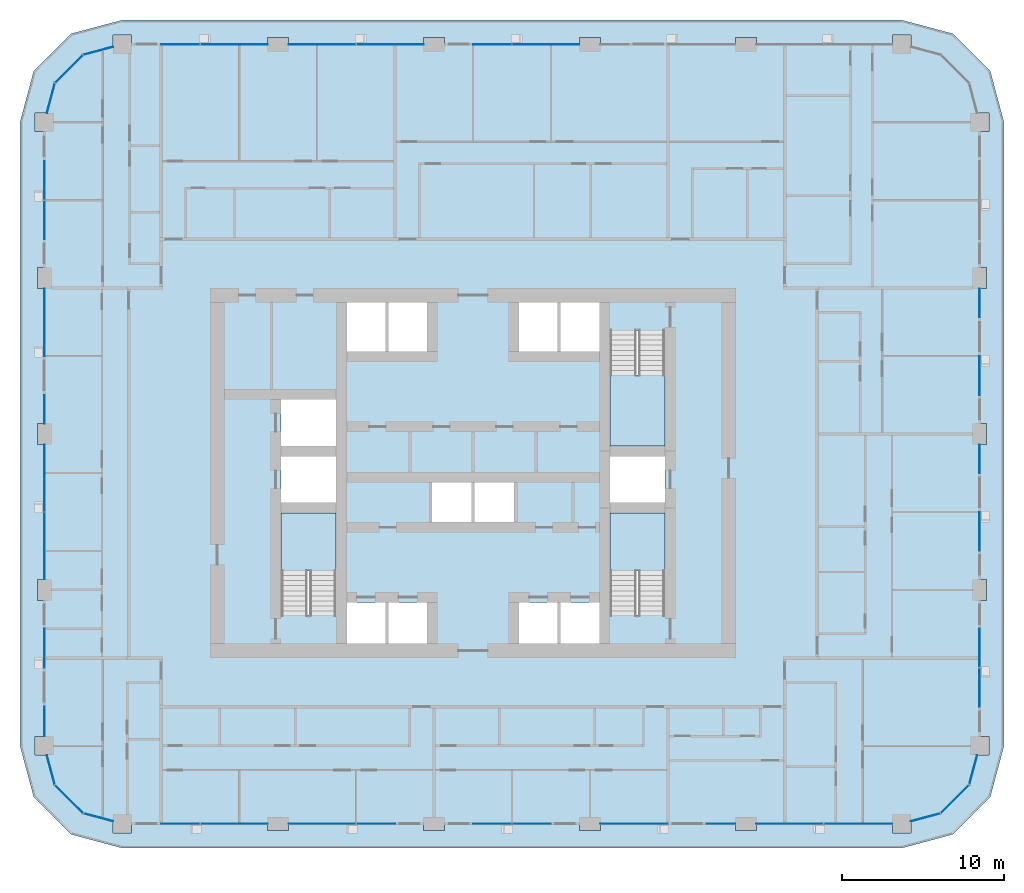
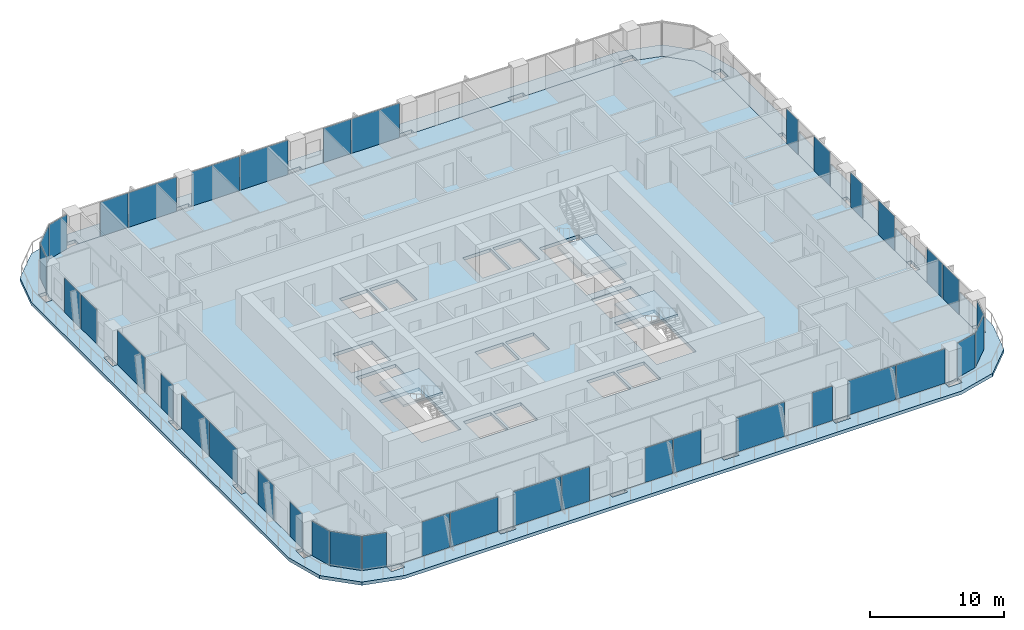
# One storey, part 7 of 21: 39 plates, 5 slabs, 21 elements without a shape of their own.
"""IFC4 building model written with IfcOpenShell, lengths in metres."""

from ifc_helpers import new_model, si_unit, direction, frame, origin, origin_2d, place, context, subcontext, project, spatial, polyline, rectangle, outline, extrude, material, layer, layer_set, type_object, element, aggregate, save


model = new_model("IFC4")

# Units and contexts
model_context = context("Model", 3, precision=1e-05, world=origin(), true_north=direction((0.0, 1.0)))
body_context = subcontext(model_context, "Body", "Model", "MODEL_VIEW")
ifc_project = project(units=[si_unit("LENGTHUNIT", "METRE"), si_unit("AREAUNIT", "SQUARE_METRE"), si_unit("VOLUMEUNIT", "CUBIC_METRE"), si_unit("PLANEANGLEUNIT", "RADIAN"), si_unit("MASSUNIT", "GRAM", prefix="KILO")], contexts=[model_context])

# Site, building, storey
site_placement = place(None, origin())
site = spatial("IfcSite", under=ifc_project, at=site_placement, CompositionType="ELEMENT")
building_placement = place(site_placement, origin())
building = spatial("IfcBuilding", under=site, at=building_placement, Name="Madar Terraces", CompositionType="ELEMENT")
storey_placement = place(building_placement, frame((0.0, 0.0, 92.699951171875)))
storey = spatial("IfcBuildingStorey", under=building, at=storey_placement, Name="L23", CompositionType="ELEMENT", Elevation=92.699951171875)

# Slabs
ifc_material_1 = material(Name="Concrete C50/60", Category="concrete")
ifc_layer_1 = layer(ifc_material_1, 0.300048828125)
ifc_layer_set_1 = layer_set([ifc_layer_1], Name="Balcony band 300")
slab_type_1 = type_object("IfcSlabType", Name="Balcony band 300", PredefinedType="FLOOR", material=ifc_layer_set_1)
slab_1_placement = place(storey_placement, frame((0.0, 0.0, -0.300048828125)))
element("IfcSlab", 1, at=slab_1_placement, inside=storey, type_object=slab_type_1, Name="Balcony band", PredefinedType="FLOOR", context=body_context, shape_type="SweptSolid", body=[
    extrude(outline(polyline([(9.60009765625, 3.300048828125), (6.449951171875, 4.14404296875), (4.14404296875, 6.449951171875), (3.300048828125, 9.60009765625), (3.300048828125, 48.0), (4.14404296875, 51.14990234375), (6.449951171875, 53.4560546875), (9.60009765625, 54.300048828125), (57.60009765625, 54.300048828125), (60.75, 53.4560546875), (63.055908203125, 51.14990234375), (63.89990234375, 48.0), (63.89990234375, 9.60009765625), (63.055908203125, 6.449951171875), (60.75, 4.14404296875), (57.60009765625, 3.300048828125), (9.60009765625, 3.300048828125)]), holes=[polyline([(10.175048828125, 4.22509765625), (10.175048828125, 4.800048828125), (18.550048828125, 4.800048828125), (18.550048828125, 4.375), (19.85009765625, 4.375), (19.85009765625, 4.800048828125), (28.14990234375, 4.800048828125), (28.14990234375, 4.375), (29.449951171875, 4.375), (29.449951171875, 4.800048828125), (37.75, 4.800048828125), (37.75, 4.375), (39.050048828125, 4.375), (39.050048828125, 4.800048828125), (47.35009765625, 4.800048828125), (47.35009765625, 4.375), (48.64990234375, 4.375), (48.64990234375, 4.800048828125), (57.02490234375, 4.800048828125), (57.02490234375, 4.22509765625), (58.175048828125, 4.22509765625), (58.175048828125, 4.9541015625), (60.0, 5.443115234375), (61.7568359375, 7.199951171875), (62.245849609375, 9.02490234375), (62.97509765625, 9.02490234375), (62.97509765625, 10.175048828125), (62.39990234375, 10.175048828125), (62.39990234375, 18.550048828125), (62.824951171875, 18.550048828125), (62.824951171875, 19.85009765625), (62.39990234375, 19.85009765625), (62.39990234375, 28.14990234375), (62.824951171875, 28.14990234375), (62.824951171875, 29.449951171875), (62.39990234375, 29.449951171875), (62.39990234375, 37.75), (62.824951171875, 37.75), (62.824951171875, 39.050048828125), (62.39990234375, 39.050048828125), (62.39990234375, 47.425048828125), (62.97509765625, 47.425048828125), (62.97509765625, 48.574951171875), (62.245849609375, 48.574951171875), (61.7568359375, 50.39990234375), (60.0, 52.156982421875), (58.175048828125, 52.64599609375), (58.175048828125, 53.375), (57.02490234375, 53.375), (57.02490234375, 52.800048828125), (48.64990234375, 52.800048828125), (48.64990234375, 53.22509765625), (47.35009765625, 53.22509765625), (47.35009765625, 52.800048828125), (39.050048828125, 52.800048828125), (39.050048828125, 53.22509765625), (37.75, 53.22509765625), (37.75, 52.800048828125), (29.449951171875, 52.800048828125), (29.449951171875, 53.22509765625), (28.14990234375, 53.22509765625), (28.14990234375, 52.800048828125), (19.85009765625, 52.800048828125), (19.85009765625, 53.22509765625), (18.550048828125, 53.22509765625), (18.550048828125, 52.800048828125), (10.175048828125, 52.800048828125), (10.175048828125, 53.375), (9.02490234375, 53.375), (9.02490234375, 52.64599609375), (7.199951171875, 52.156982421875), (5.443115234375, 50.39990234375), (4.9541015625, 48.574951171875), (4.22509765625, 48.574951171875), (4.22509765625, 47.425048828125), (4.800048828125, 47.425048828125), (4.800048828125, 39.050048828125), (4.375, 39.050048828125), (4.375, 37.75), (4.800048828125, 37.75), (4.800048828125, 29.449951171875), (4.375, 29.449951171875), (4.375, 28.14990234375), (4.800048828125, 28.14990234375), (4.800048828125, 19.85009765625), (4.375, 19.85009765625), (4.375, 18.550048828125), (4.800048828125, 18.550048828125), (4.800048828125, 10.175048828125), (4.22509765625, 10.175048828125), (4.22509765625, 9.02490234375), (4.9541015625, 9.02490234375), (5.443115234375, 7.199951171875), (7.199951171875, 5.443115234375), (9.02490234375, 4.9541015625), (9.02490234375, 4.22509765625), (10.175048828125, 4.22509765625)])]), origin(), (0.0, 0.0, 1.0), 0.300048828125),
])
ifc_material_2 = material(Name="Concrete C50/60", Category="concrete")
ifc_layer_2 = layer(ifc_material_2, 0.300048828125)
ifc_layer_set_2 = layer_set([ifc_layer_2], Name="FS2 PT flat slab 300")
slab_type_2 = type_object("IfcSlabType", Name="FS2 PT flat slab 300", PredefinedType="FLOOR", material=ifc_layer_set_2)
slab_2_placement = place(storey_placement, frame((0.0, 0.0, -0.300048828125)))
element("IfcSlab", 2, at=slab_2_placement, inside=storey, type_object=slab_type_2, Name="Floor slab L23 (1)", PredefinedType="FLOOR", context=body_context, shape_type="SweptSolid", body=[
    extrude(outline(polyline([(57.60009765625, 4.800048828125), (60.0, 5.443115234375), (61.7568359375, 7.199951171875), (62.39990234375, 9.60009765625), (62.39990234375, 48.0), (61.7568359375, 50.39990234375), (60.0, 52.156982421875), (57.60009765625, 52.800048828125), (9.60009765625, 52.800048828125), (7.199951171875, 52.156982421875), (5.443115234375, 50.39990234375), (4.800048828125, 48.0), (4.800048828125, 9.60009765625), (5.443115234375, 7.199951171875), (7.199951171875, 5.443115234375), (9.60009765625, 4.800048828125), (57.60009765625, 4.800048828125)]), holes=[polyline([(23.425048828125, 15.89990234375), (23.425048828125, 18.425048828125), (25.800048828125, 18.425048828125), (25.800048828125, 15.89990234375), (23.425048828125, 15.89990234375)]), polyline([(26.0, 15.89990234375), (26.0, 18.425048828125), (28.375, 18.425048828125), (28.375, 15.89990234375), (26.0, 15.89990234375)]), polyline([(19.375, 17.64990234375), (19.375, 23.925048828125), (22.77490234375, 23.925048828125), (22.77490234375, 17.64990234375), (19.375, 17.64990234375)]), polyline([(28.675048828125, 23.375), (28.675048828125, 25.824951171875), (31.10009765625, 25.824951171875), (31.10009765625, 23.375), (28.675048828125, 23.375)]), polyline([(19.375, 24.574951171875), (19.375, 27.425048828125), (22.77490234375, 27.425048828125), (22.77490234375, 24.574951171875), (19.375, 24.574951171875)]), polyline([(19.375, 28.074951171875), (19.375, 30.925048828125), (22.77490234375, 30.925048828125), (22.77490234375, 28.074951171875), (19.375, 28.074951171875)]), polyline([(23.425048828125, 33.875), (23.425048828125, 36.89990234375), (25.800048828125, 36.89990234375), (25.800048828125, 33.875), (23.425048828125, 33.875)]), polyline([(26.0, 33.875), (26.0, 36.89990234375), (28.375, 36.89990234375), (28.375, 33.875), (26.0, 33.875)]), polyline([(34.02490234375, 15.89990234375), (34.02490234375, 18.425048828125), (36.39990234375, 18.425048828125), (36.39990234375, 15.89990234375), (34.02490234375, 15.89990234375)]), polyline([(36.60009765625, 15.89990234375), (36.60009765625, 18.425048828125), (38.97509765625, 18.425048828125), (38.97509765625, 15.89990234375), (36.60009765625, 15.89990234375)]), polyline([(39.625, 17.64990234375), (39.625, 23.925048828125), (43.02490234375, 23.925048828125), (43.02490234375, 17.64990234375), (39.625, 17.64990234375)]), polyline([(31.300048828125, 23.375), (31.300048828125, 25.824951171875), (33.72509765625, 25.824951171875), (33.72509765625, 23.375), (31.300048828125, 23.375)]), polyline([(39.625, 24.574951171875), (39.625, 27.425048828125), (43.02490234375, 27.425048828125), (43.02490234375, 24.574951171875), (39.625, 24.574951171875)]), polyline([(39.625, 28.074951171875), (39.625, 35.14990234375), (43.02490234375, 35.14990234375), (43.02490234375, 28.074951171875), (39.625, 28.074951171875)]), polyline([(34.02490234375, 33.875), (34.02490234375, 36.89990234375), (36.39990234375, 36.89990234375), (36.39990234375, 33.875), (34.02490234375, 33.875)]), polyline([(36.60009765625, 33.875), (36.60009765625, 36.89990234375), (38.97509765625, 36.89990234375), (38.97509765625, 33.875), (36.60009765625, 33.875)])]), origin(), (0.0, 0.0, 1.0), 0.300048828125),
])

# Curtain wall, plates
ifc_material_3 = material(Name="Glass, ceramic frit dark grey, with black aluminium frame", Category="aluminium")
ifc_layer_3 = layer(ifc_material_3, 0.199951171875)
ifc_layer_set_3 = layer_set([ifc_layer_3], Name="Facade curtain wall, fritted glass")
curtain_wall_type = type_object("IfcCurtainWallType", Name="Facade curtain wall, fritted glass", PredefinedType="NOTDEFINED", material=ifc_layer_set_3)
curtain_wall_1_placement = place(storey_placement, origin())
curtain_wall_1 = element("IfcCurtainWall", 3, at=curtain_wall_1_placement, inside=storey, type_object=curtain_wall_type, Name="Outer skin curtain wall south bay 1", PredefinedType="NOTDEFINED")
ifc_material_4 = material(Name="Glass, ceramic frit dark grey", Category="glass")
ifc_layer_4 = layer(ifc_material_4, 0.028076171875)
ifc_layer_set_4 = layer_set([ifc_layer_4], Name="Facade glass panel 28")
plate_type = type_object("IfcPlateType", Name="Facade glass panel 28", PredefinedType="CURTAIN_PANEL", material=ifc_layer_set_4)
plate_1_placement = place(storey_placement, frame((13.18505859375, 4.800048828125, 0.0), z_axis=(0.0, 0.0, 1.0), x_axis=(1.0, 0.0, 0.0)))
plate_1 = element("IfcPlate", 4, at=plate_1_placement, type_object=plate_type, Name="Panel 1", PredefinedType="CURTAIN_PANEL", context=body_context, shape_type="SweptSolid", body=[
    extrude(rectangle(XDim=2.3701171875, YDim=0.028076171875, at=origin_2d()), origin(), (0.0, 0.0, 1.0), 3.139892578125),
])
plate_2_placement = place(storey_placement, frame((16.489990234375, 4.800048828125, 0.0), z_axis=(0.0, 0.0, 1.0), x_axis=(1.0, 0.0, 0.0)))
plate_2 = element("IfcPlate", 5, at=plate_2_placement, type_object=plate_type, Name="Panel 2", PredefinedType="CURTAIN_PANEL", context=body_context, shape_type="SweptSolid", body=[
    extrude(rectangle(XDim=4.1201171875, YDim=0.028076171875, at=origin_2d()), origin(), (0.0, 0.0, 1.0), 3.139892578125),
])
aggregate(curtain_wall_1, [plate_1, plate_2])

curtain_wall_2_placement = place(storey_placement, origin())
curtain_wall_2 = element("IfcCurtainWall", 6, at=curtain_wall_2_placement, inside=storey, type_object=curtain_wall_type, Name="Outer skin curtain wall south bay 2", PredefinedType="NOTDEFINED")
plate_3_placement = place(storey_placement, frame((21.909912109375, 4.800048828125, 0.0), z_axis=(0.0, 0.0, 1.0), x_axis=(1.0, 0.0, 0.0)))
plate_3 = element("IfcPlate", 7, at=plate_3_placement, type_object=plate_type, Name="Panel 1", PredefinedType="CURTAIN_PANEL", context=body_context, shape_type="SweptSolid", body=[
    extrude(rectangle(XDim=4.1201171875, YDim=0.028076171875, at=origin_2d()), origin(), (0.0, 0.0, 1.0), 3.139892578125),
])
plate_4_placement = place(storey_placement, frame((25.215087890625, 4.800048828125, 0.0), z_axis=(0.0, 0.0, 1.0), x_axis=(1.0, 0.0, 0.0)))
plate_4 = element("IfcPlate", 8, at=plate_4_placement, type_object=plate_type, Name="Panel 2", PredefinedType="CURTAIN_PANEL", context=body_context, shape_type="SweptSolid", body=[
    extrude(rectangle(XDim=2.3701171875, YDim=0.028076171875, at=origin_2d()), origin(), (0.0, 0.0, 1.0), 3.139892578125),
])
aggregate(curtain_wall_2, [plate_3, plate_4])

curtain_wall_3_placement = place(storey_placement, origin())
curtain_wall_3 = element("IfcCurtainWall", 9, at=curtain_wall_3_placement, inside=storey, type_object=curtain_wall_type, Name="Outer skin curtain wall south bay 3", PredefinedType="NOTDEFINED")
plate_5_placement = place(storey_placement, frame((32.385009765625, 4.800048828125, 0.0), z_axis=(0.0, 0.0, 1.0), x_axis=(1.0, 0.0, 0.0)))
plate_5 = element("IfcPlate", 10, at=plate_5_placement, type_object=plate_type, Name="Panel 1", PredefinedType="CURTAIN_PANEL", context=body_context, shape_type="SweptSolid", body=[
    extrude(rectangle(XDim=2.3701171875, YDim=0.028076171875, at=origin_2d()), origin(), (0.0, 0.0, 1.0), 3.139892578125),
])
plate_6_placement = place(storey_placement, frame((34.81494140625, 4.800048828125, 0.0), z_axis=(0.0, 0.0, 1.0), x_axis=(1.0, 0.0, 0.0)))
plate_6 = element("IfcPlate", 11, at=plate_6_placement, type_object=plate_type, Name="Panel 2", PredefinedType="CURTAIN_PANEL", context=body_context, shape_type="SweptSolid", body=[
    extrude(rectangle(XDim=2.3701171875, YDim=0.028076171875, at=origin_2d()), origin(), (0.0, 0.0, 1.0), 3.139892578125),
])
aggregate(curtain_wall_3, [plate_5, plate_6])

curtain_wall_4_placement = place(storey_placement, origin())
curtain_wall_4 = element("IfcCurtainWall", 12, at=curtain_wall_4_placement, inside=storey, type_object=curtain_wall_type, Name="Outer skin curtain wall south bay 4", PredefinedType="NOTDEFINED")
plate_7_placement = place(storey_placement, frame((41.125, 4.800048828125, 0.0), z_axis=(0.0, 0.0, 1.0), x_axis=(1.0, 0.0, 0.0)))
plate_7 = element("IfcPlate", 13, at=plate_7_placement, type_object=plate_type, Name="Panel 1", PredefinedType="CURTAIN_PANEL", context=body_context, shape_type="SweptSolid", body=[
    extrude(rectangle(XDim=4.14990234375, YDim=0.028076171875, at=origin_2d()), origin(), (0.0, 0.0, 1.0), 3.139892578125),
])
plate_8_placement = place(storey_placement, frame((46.47509765625, 4.800048828125, 0.0), z_axis=(0.0, 0.0, 1.0), x_axis=(1.0, 0.0, 0.0)))
plate_8 = element("IfcPlate", 14, at=plate_8_placement, type_object=plate_type, Name="Panel 2", PredefinedType="CURTAIN_PANEL", context=body_context, shape_type="SweptSolid", body=[
    extrude(rectangle(XDim=1.75, YDim=0.028076171875, at=origin_2d()), origin(), (0.0, 0.0, 1.0), 3.139892578125),
])
aggregate(curtain_wall_4, [plate_7, plate_8])

curtain_wall_5_placement = place(storey_placement, origin())
curtain_wall_5 = element("IfcCurtainWall", 15, at=curtain_wall_5_placement, inside=storey, type_object=curtain_wall_type, Name="Outer skin curtain wall south bay 5", PredefinedType="NOTDEFINED")
plate_9_placement = place(storey_placement, frame((50.7099609375, 4.800048828125, 0.0), z_axis=(0.0, 0.0, 1.0), x_axis=(1.0, 0.0, 0.0)))
plate_9 = element("IfcPlate", 16, at=plate_9_placement, type_object=plate_type, Name="Panel 1", PredefinedType="CURTAIN_PANEL", context=body_context, shape_type="SweptSolid", body=[
    extrude(rectangle(XDim=4.1201171875, YDim=0.028076171875, at=origin_2d()), origin(), (0.0, 0.0, 1.0), 3.139892578125),
])
plate_10_placement = place(storey_placement, frame((54.927490234375, 4.800048828125, 0.0), z_axis=(0.0, 0.0, 1.0), x_axis=(1.0, 0.0, 0.0)))
plate_10 = element("IfcPlate", 17, at=plate_10_placement, type_object=plate_type, Name="Panel 2", PredefinedType="CURTAIN_PANEL", context=body_context, shape_type="SweptSolid", body=[
    extrude(rectangle(XDim=4.195068359375, YDim=0.028076171875, at=origin_2d()), origin(), (0.0, 0.0, 1.0), 3.139892578125),
])
aggregate(curtain_wall_5, [plate_9, plate_10])

curtain_wall_6_placement = place(storey_placement, origin())
curtain_wall_6 = element("IfcCurtainWall", 18, at=curtain_wall_6_placement, inside=storey, type_object=curtain_wall_type, Name="Outer skin curtain wall east bay 1", PredefinedType="NOTDEFINED")
plate_11_placement = place(storey_placement, frame((62.39990234375, 13.18505859375, 0.0), z_axis=(0.0, 0.0, 1.0), x_axis=(0.0, 1.0, 0.0)))
plate_11 = element("IfcPlate", 19, at=plate_11_placement, type_object=plate_type, Name="Panel 1", PredefinedType="CURTAIN_PANEL", context=body_context, shape_type="SweptSolid", body=[
    extrude(rectangle(XDim=2.3701171875, YDim=0.028076171875, at=origin_2d()), origin(), (0.0, 0.0, 1.0), 3.139892578125),
])
plate_12_placement = place(storey_placement, frame((62.39990234375, 15.614990234375, 0.0), z_axis=(0.0, 0.0, 1.0), x_axis=(0.0, 1.0, 0.0)))
plate_12 = element("IfcPlate", 20, at=plate_12_placement, type_object=plate_type, Name="Panel 2", PredefinedType="CURTAIN_PANEL", context=body_context, shape_type="SweptSolid", body=[
    extrude(rectangle(XDim=2.3701171875, YDim=0.028076171875, at=origin_2d()), origin(), (0.0, 0.0, 1.0), 3.139892578125),
])
aggregate(curtain_wall_6, [plate_11, plate_12])

curtain_wall_7_placement = place(storey_placement, origin())
curtain_wall_7 = element("IfcCurtainWall", 21, at=curtain_wall_7_placement, inside=storey, type_object=curtain_wall_type, Name="Outer skin curtain wall east bay 2", PredefinedType="NOTDEFINED")
plate_13_placement = place(storey_placement, frame((62.39990234375, 22.800048828125, 0.0), z_axis=(0.0, 0.0, 1.0), x_axis=(0.0, 1.0, 0.0)))
plate_13 = element("IfcPlate", 22, at=plate_13_placement, type_object=plate_type, Name="Panel 1", PredefinedType="CURTAIN_PANEL", context=body_context, shape_type="SweptSolid", body=[
    extrude(rectangle(XDim=2.39990234375, YDim=0.028076171875, at=origin_2d()), origin(), (0.0, 0.0, 1.0), 3.139892578125),
])
plate_14_placement = place(storey_placement, frame((62.39990234375, 27.27490234375, 0.0), z_axis=(0.0, 0.0, 1.0), x_axis=(0.0, 1.0, 0.0)))
plate_14 = element("IfcPlate", 23, at=plate_14_placement, type_object=plate_type, Name="Panel 2", PredefinedType="CURTAIN_PANEL", context=body_context, shape_type="SweptSolid", body=[
    extrude(rectangle(XDim=1.75, YDim=0.028076171875, at=origin_2d()), origin(), (0.0, 0.0, 1.0), 3.139892578125),
])
aggregate(curtain_wall_7, [plate_13, plate_14])

curtain_wall_8_placement = place(storey_placement, origin())
curtain_wall_8 = element("IfcCurtainWall", 24, at=curtain_wall_8_placement, inside=storey, type_object=curtain_wall_type, Name="Outer skin curtain wall east bay 3", PredefinedType="NOTDEFINED")
plate_15_placement = place(storey_placement, frame((62.39990234375, 32.39990234375, 0.0), z_axis=(0.0, 0.0, 1.0), x_axis=(0.0, 1.0, 0.0)))
plate_15 = element("IfcPlate", 25, at=plate_15_placement, type_object=plate_type, Name="Panel 1", PredefinedType="CURTAIN_PANEL", context=body_context, shape_type="SweptSolid", body=[
    extrude(rectangle(XDim=2.39990234375, YDim=0.028076171875, at=origin_2d()), origin(), (0.0, 0.0, 1.0), 3.139892578125),
])
plate_16_placement = place(storey_placement, frame((62.39990234375, 36.875, 0.0), z_axis=(0.0, 0.0, 1.0), x_axis=(0.0, 1.0, 0.0)))
plate_16 = element("IfcPlate", 26, at=plate_16_placement, type_object=plate_type, Name="Panel 2", PredefinedType="CURTAIN_PANEL", context=body_context, shape_type="SweptSolid", body=[
    extrude(rectangle(XDim=1.75, YDim=0.028076171875, at=origin_2d()), origin(), (0.0, 0.0, 1.0), 3.139892578125),
])
aggregate(curtain_wall_8, [plate_15, plate_16])

curtain_wall_9_placement = place(storey_placement, origin())
curtain_wall_9 = element("IfcCurtainWall", 27, at=curtain_wall_9_placement, inside=storey, type_object=curtain_wall_type, Name="Outer skin curtain wall north bay 3", PredefinedType="NOTDEFINED")
plate_17_placement = place(storey_placement, frame((35.68994140625, 52.800048828125, 0.0), z_axis=(0.0, 0.0, 1.0), x_axis=(-1.0, 0.0, 0.0)))
plate_17 = element("IfcPlate", 28, at=plate_17_placement, type_object=plate_type, Name="Panel 1", PredefinedType="CURTAIN_PANEL", context=body_context, shape_type="SweptSolid", body=[
    extrude(rectangle(XDim=4.1201171875, YDim=0.028076171875, at=origin_2d()), origin(), (0.0, 0.0, 1.0), 3.139892578125),
])
plate_18_placement = place(storey_placement, frame((32.385009765625, 52.800048828125, 0.0), z_axis=(0.0, 0.0, 1.0), x_axis=(-1.0, 0.0, 0.0)))
plate_18 = element("IfcPlate", 29, at=plate_18_placement, type_object=plate_type, Name="Panel 2", PredefinedType="CURTAIN_PANEL", context=body_context, shape_type="SweptSolid", body=[
    extrude(rectangle(XDim=2.3701171875, YDim=0.028076171875, at=origin_2d()), origin(), (0.0, 0.0, 1.0), 3.139892578125),
])
aggregate(curtain_wall_9, [plate_17, plate_18])

curtain_wall_10_placement = place(storey_placement, origin())
curtain_wall_10 = element("IfcCurtainWall", 30, at=curtain_wall_10_placement, inside=storey, type_object=curtain_wall_type, Name="Outer skin curtain wall north bay 4", PredefinedType="NOTDEFINED")
plate_19_placement = place(storey_placement, frame((26.090087890625, 52.800048828125, 0.0), z_axis=(0.0, 0.0, 1.0), x_axis=(-1.0, 0.0, 0.0)))
plate_19 = element("IfcPlate", 31, at=plate_19_placement, type_object=plate_type, Name="Panel 1", PredefinedType="CURTAIN_PANEL", context=body_context, shape_type="SweptSolid", body=[
    extrude(rectangle(XDim=4.1201171875, YDim=0.028076171875, at=origin_2d()), origin(), (0.0, 0.0, 1.0), 3.139892578125),
])
plate_20_placement = place(storey_placement, frame((21.909912109375, 52.800048828125, 0.0), z_axis=(0.0, 0.0, 1.0), x_axis=(-1.0, 0.0, 0.0)))
plate_20 = element("IfcPlate", 32, at=plate_20_placement, type_object=plate_type, Name="Panel 2", PredefinedType="CURTAIN_PANEL", context=body_context, shape_type="SweptSolid", body=[
    extrude(rectangle(XDim=4.1201171875, YDim=0.028076171875, at=origin_2d()), origin(), (0.0, 0.0, 1.0), 3.139892578125),
])
aggregate(curtain_wall_10, [plate_19, plate_20])

curtain_wall_11_placement = place(storey_placement, origin())
curtain_wall_11 = element("IfcCurtainWall", 33, at=curtain_wall_11_placement, inside=storey, type_object=curtain_wall_type, Name="Outer skin curtain wall north bay 5", PredefinedType="NOTDEFINED")
plate_21_placement = place(storey_placement, frame((16.489990234375, 52.800048828125, 0.0), z_axis=(0.0, 0.0, 1.0), x_axis=(-1.0, 0.0, 0.0)))
plate_21 = element("IfcPlate", 34, at=plate_21_placement, type_object=plate_type, Name="Panel 1", PredefinedType="CURTAIN_PANEL", context=body_context, shape_type="SweptSolid", body=[
    extrude(rectangle(XDim=4.1201171875, YDim=0.028076171875, at=origin_2d()), origin(), (0.0, 0.0, 1.0), 3.139892578125),
])
plate_22_placement = place(storey_placement, frame((13.18505859375, 52.800048828125, 0.0), z_axis=(0.0, 0.0, 1.0), x_axis=(-1.0, 0.0, 0.0)))
plate_22 = element("IfcPlate", 35, at=plate_22_placement, type_object=plate_type, Name="Panel 2", PredefinedType="CURTAIN_PANEL", context=body_context, shape_type="SweptSolid", body=[
    extrude(rectangle(XDim=2.3701171875, YDim=0.028076171875, at=origin_2d()), origin(), (0.0, 0.0, 1.0), 3.139892578125),
])
aggregate(curtain_wall_11, [plate_21, plate_22])

curtain_wall_12_placement = place(storey_placement, origin())
curtain_wall_12 = element("IfcCurtainWall", 36, at=curtain_wall_12_placement, inside=storey, type_object=curtain_wall_type, Name="Outer skin curtain wall west bay 1", PredefinedType="NOTDEFINED")
plate_23_placement = place(storey_placement, frame((4.800048828125, 44.4150390625, 0.0), z_axis=(0.0, 0.0, 1.0), x_axis=(0.0, -1.0, 0.0)))
plate_23 = element("IfcPlate", 37, at=plate_23_placement, type_object=plate_type, Name="Panel 1", PredefinedType="CURTAIN_PANEL", context=body_context, shape_type="SweptSolid", body=[
    extrude(rectangle(XDim=2.3701171875, YDim=0.028076171875, at=origin_2d()), origin(), (0.0, 0.0, 1.0), 3.139892578125),
])
plate_24_placement = place(storey_placement, frame((4.800048828125, 41.985107421875, 0.0), z_axis=(0.0, 0.0, 1.0), x_axis=(0.0, -1.0, 0.0)))
plate_24 = element("IfcPlate", 38, at=plate_24_placement, type_object=plate_type, Name="Panel 2", PredefinedType="CURTAIN_PANEL", context=body_context, shape_type="SweptSolid", body=[
    extrude(rectangle(XDim=2.3701171875, YDim=0.028076171875, at=origin_2d()), origin(), (0.0, 0.0, 1.0), 3.139892578125),
])
aggregate(curtain_wall_12, [plate_23, plate_24])

curtain_wall_13_placement = place(storey_placement, origin())
curtain_wall_13 = element("IfcCurtainWall", 39, at=curtain_wall_13_placement, inside=storey, type_object=curtain_wall_type, Name="Outer skin curtain wall west bay 2", PredefinedType="NOTDEFINED")
plate_25_placement = place(storey_placement, frame((4.800048828125, 35.675048828125, 0.0), z_axis=(0.0, 0.0, 1.0), x_axis=(0.0, -1.0, 0.0)))
plate_25 = element("IfcPlate", 40, at=plate_25_placement, type_object=plate_type, Name="Panel 1", PredefinedType="CURTAIN_PANEL", context=body_context, shape_type="SweptSolid", body=[
    extrude(rectangle(XDim=4.14990234375, YDim=0.028076171875, at=origin_2d()), origin(), (0.0, 0.0, 1.0), 3.139892578125),
])
plate_26_placement = place(storey_placement, frame((4.800048828125, 30.324951171875, 0.0), z_axis=(0.0, 0.0, 1.0), x_axis=(0.0, -1.0, 0.0)))
plate_26 = element("IfcPlate", 41, at=plate_26_placement, type_object=plate_type, Name="Panel 2", PredefinedType="CURTAIN_PANEL", context=body_context, shape_type="SweptSolid", body=[
    extrude(rectangle(XDim=1.75, YDim=0.028076171875, at=origin_2d()), origin(), (0.0, 0.0, 1.0), 3.139892578125),
])
aggregate(curtain_wall_13, [plate_25, plate_26])

curtain_wall_14_placement = place(storey_placement, origin())
curtain_wall_14 = element("IfcCurtainWall", 42, at=curtain_wall_14_placement, inside=storey, type_object=curtain_wall_type, Name="Outer skin curtain wall west bay 3", PredefinedType="NOTDEFINED")
plate_27_placement = place(storey_placement, frame((4.800048828125, 26.090087890625, 0.0), z_axis=(0.0, 0.0, 1.0), x_axis=(0.0, -1.0, 0.0)))
plate_27 = element("IfcPlate", 43, at=plate_27_placement, type_object=plate_type, Name="Panel 1", PredefinedType="CURTAIN_PANEL", context=body_context, shape_type="SweptSolid", body=[
    extrude(rectangle(XDim=4.1201171875, YDim=0.028076171875, at=origin_2d()), origin(), (0.0, 0.0, 1.0), 3.139892578125),
])
plate_28_placement = place(storey_placement, frame((4.800048828125, 21.909912109375, 0.0), z_axis=(0.0, 0.0, 1.0), x_axis=(0.0, -1.0, 0.0)))
plate_28 = element("IfcPlate", 44, at=plate_28_placement, type_object=plate_type, Name="Panel 2", PredefinedType="CURTAIN_PANEL", context=body_context, shape_type="SweptSolid", body=[
    extrude(rectangle(XDim=4.1201171875, YDim=0.028076171875, at=origin_2d()), origin(), (0.0, 0.0, 1.0), 3.139892578125),
])
aggregate(curtain_wall_14, [plate_27, plate_28])

curtain_wall_15_placement = place(storey_placement, origin())
curtain_wall_15 = element("IfcCurtainWall", 45, at=curtain_wall_15_placement, inside=storey, type_object=curtain_wall_type, Name="Outer skin curtain wall west bay 4", PredefinedType="NOTDEFINED")
plate_29_placement = place(storey_placement, frame((4.800048828125, 15.60009765625, 0.0), z_axis=(0.0, 0.0, 1.0), x_axis=(0.0, -1.0, 0.0)))
plate_29 = element("IfcPlate", 46, at=plate_29_placement, type_object=plate_type, Name="Panel 1", PredefinedType="CURTAIN_PANEL", context=body_context, shape_type="SweptSolid", body=[
    extrude(rectangle(XDim=2.39990234375, YDim=0.028076171875, at=origin_2d()), origin(), (0.0, 0.0, 1.0), 3.139892578125),
])
plate_30_placement = place(storey_placement, frame((4.800048828125, 11.08740234375, 0.0), z_axis=(0.0, 0.0, 1.0), x_axis=(0.0, -1.0, 0.0)))
plate_30 = element("IfcPlate", 47, at=plate_30_placement, type_object=plate_type, Name="Panel 2", PredefinedType="CURTAIN_PANEL", context=body_context, shape_type="SweptSolid", body=[
    extrude(rectangle(XDim=1.824951171875, YDim=0.028076171875, at=origin_2d()), origin(), (0.0, 0.0, 1.0), 3.139892578125),
])
aggregate(curtain_wall_15, [plate_29, plate_30])

curtain_wall_16_placement = place(storey_placement, origin())
curtain_wall_16 = element("IfcCurtainWall", 48, at=curtain_wall_16_placement, inside=storey, type_object=curtain_wall_type, Name="Outer skin curtain wall south-east corner", PredefinedType="NOTDEFINED")
plate_31_placement = place(storey_placement, frame((59.072998046875, 5.194580078125, 0.0), z_axis=(0.0, 0.0, 1.0), x_axis=(0.965925832509, 0.258819021888, 0.0)))
plate_31 = element("IfcPlate", 49, at=plate_31_placement, type_object=plate_type, Name="Panel 1", PredefinedType="CURTAIN_PANEL", context=body_context, shape_type="SweptSolid", body=[
    extrude(rectangle(XDim=1.859375, YDim=0.028076171875, at=origin_2d()), origin(), (0.0, 0.0, 1.0), 3.139892578125),
])
plate_32_placement = place(storey_placement, frame((60.87841796875, 6.321533203125, 0.0), z_axis=(0.0, 0.0, 1.0), x_axis=(0.707106781187, 0.707106781187, 0.0)))
plate_32 = element("IfcPlate", 50, at=plate_32_placement, type_object=plate_type, Name="Panel 2", PredefinedType="CURTAIN_PANEL", context=body_context, shape_type="SweptSolid", body=[
    extrude(rectangle(XDim=2.424560546875, YDim=0.028076171875, at=origin_2d()), origin(), (0.0, 0.0, 1.0), 3.139892578125),
])
plate_33_placement = place(storey_placement, frame((62.00537109375, 8.126953125, 0.0), z_axis=(0.0, 0.0, 1.0), x_axis=(0.258819021888, 0.965925832509, 0.0)))
plate_33 = element("IfcPlate", 51, at=plate_33_placement, type_object=plate_type, Name="Panel 3", PredefinedType="CURTAIN_PANEL", context=body_context, shape_type="SweptSolid", body=[
    extrude(rectangle(XDim=1.859375, YDim=0.028076171875, at=origin_2d()), origin(), (0.0, 0.0, 1.0), 3.139892578125),
])
aggregate(curtain_wall_16, [plate_31, plate_32, plate_33])

curtain_wall_17_placement = place(storey_placement, origin())
curtain_wall_17 = element("IfcCurtainWall", 52, at=curtain_wall_17_placement, inside=storey, type_object=curtain_wall_type, Name="Outer skin curtain wall north-west corner", PredefinedType="NOTDEFINED")
plate_34_placement = place(storey_placement, frame((8.126953125, 52.4052734375, 0.0), z_axis=(0.0, 0.0, 1.0), x_axis=(-0.965925832509, -0.258819021888, 0.0)))
plate_34 = element("IfcPlate", 53, at=plate_34_placement, type_object=plate_type, Name="Panel 1", PredefinedType="CURTAIN_PANEL", context=body_context, shape_type="SweptSolid", body=[
    extrude(rectangle(XDim=1.859375, YDim=0.028076171875, at=origin_2d()), origin(), (0.0, 0.0, 1.0), 3.139892578125),
])
plate_35_placement = place(storey_placement, frame((6.321533203125, 51.278564453125, 0.0), z_axis=(0.0, 0.0, 1.0), x_axis=(-0.707106781187, -0.707106781187, 0.0)))
plate_35 = element("IfcPlate", 54, at=plate_35_placement, type_object=plate_type, Name="Panel 2", PredefinedType="CURTAIN_PANEL", context=body_context, shape_type="SweptSolid", body=[
    extrude(rectangle(XDim=2.424560546875, YDim=0.028076171875, at=origin_2d()), origin(), (0.0, 0.0, 1.0), 3.139892578125),
])
plate_36_placement = place(storey_placement, frame((5.194580078125, 49.472900390625, 0.0), z_axis=(0.0, 0.0, 1.0), x_axis=(-0.258819021888, -0.965925832509, 0.0)))
plate_36 = element("IfcPlate", 55, at=plate_36_placement, type_object=plate_type, Name="Panel 3", PredefinedType="CURTAIN_PANEL", context=body_context, shape_type="SweptSolid", body=[
    extrude(rectangle(XDim=1.859375, YDim=0.028076171875, at=origin_2d()), origin(), (0.0, 0.0, 1.0), 3.139892578125),
])
aggregate(curtain_wall_17, [plate_34, plate_35, plate_36])

curtain_wall_18_placement = place(storey_placement, origin())
curtain_wall_18 = element("IfcCurtainWall", 56, at=curtain_wall_18_placement, inside=storey, type_object=curtain_wall_type, Name="Outer skin curtain wall south-west corner", PredefinedType="NOTDEFINED")
plate_37_placement = place(storey_placement, frame((5.194580078125, 8.126953125, 0.0), z_axis=(0.0, 0.0, 1.0), x_axis=(0.258819021888, -0.965925832509, 0.0)))
plate_37 = element("IfcPlate", 57, at=plate_37_placement, type_object=plate_type, Name="Panel 1", PredefinedType="CURTAIN_PANEL", context=body_context, shape_type="SweptSolid", body=[
    extrude(rectangle(XDim=1.859375, YDim=0.028076171875, at=origin_2d()), origin(), (0.0, 0.0, 1.0), 3.139892578125),
])
plate_38_placement = place(storey_placement, frame((6.321533203125, 6.321533203125, 0.0), z_axis=(0.0, 0.0, 1.0), x_axis=(0.707106781187, -0.707106781187, 0.0)))
plate_38 = element("IfcPlate", 58, at=plate_38_placement, type_object=plate_type, Name="Panel 2", PredefinedType="CURTAIN_PANEL", context=body_context, shape_type="SweptSolid", body=[
    extrude(rectangle(XDim=2.424560546875, YDim=0.028076171875, at=origin_2d()), origin(), (0.0, 0.0, 1.0), 3.139892578125),
])
plate_39_placement = place(storey_placement, frame((8.126953125, 5.194580078125, 0.0), z_axis=(0.0, 0.0, 1.0), x_axis=(0.965925832509, -0.258819021888, 0.0)))
plate_39 = element("IfcPlate", 59, at=plate_39_placement, type_object=plate_type, Name="Panel 3", PredefinedType="CURTAIN_PANEL", context=body_context, shape_type="SweptSolid", body=[
    extrude(rectangle(XDim=1.859375, YDim=0.028076171875, at=origin_2d()), origin(), (0.0, 0.0, 1.0), 3.139892578125),
])
aggregate(curtain_wall_18, [plate_37, plate_38, plate_39])

# Stair, slab
ifc_material_5 = material(Name="Concrete C50/60", Category="concrete")
stair_type_1 = type_object("IfcStairType", Name="Stair ST1 protected exit", PredefinedType="HALF_TURN_STAIR", material=ifc_material_5)
stair_1_placement = place(storey_placement, origin())
stair_1 = element("IfcStair", 60, at=stair_1_placement, inside=storey, type_object=stair_type_1, Name="L23 Protected Exit Stair ST1", PredefinedType="HALF_TURN_STAIR")
ifc_material_6 = material(Name="Concrete C50/60", Category="concrete")
ifc_layer_5 = layer(ifc_material_6, 0.199951171875)
ifc_layer_set_5 = layer_set([ifc_layer_5], Name="Stair landing 200, top +1.75")
slab_type_3 = type_object("IfcSlabType", Name="Stair landing 200, top +1.75", PredefinedType="LANDING", material=ifc_layer_set_5)
slab_3_placement = place(storey_placement, frame((0.0, 0.0, 1.550048828125)))
slab_3 = element("IfcSlab", 61, at=slab_3_placement, type_object=slab_type_3, Name="ST1 landing 1", PredefinedType="LANDING", context=body_context, shape_type="SweptSolid", body=[
    extrude(outline(polyline([(19.375, 20.360107421875), (22.77490234375, 20.360107421875), (22.77490234375, 23.925048828125), (19.375, 23.925048828125), (19.375, 20.360107421875)])), origin(), (0.0, 0.0, 1.0), 0.199951171875),
])
aggregate(stair_1, [slab_3])

ifc_material_7 = material(Name="Concrete C50/60", Category="concrete")
stair_type_2 = type_object("IfcStairType", Name="Stair ST2 protected exit", PredefinedType="HALF_TURN_STAIR", material=ifc_material_7)
stair_2_placement = place(storey_placement, origin())
stair_2 = element("IfcStair", 62, at=stair_2_placement, inside=storey, type_object=stair_type_2, Name="L23 Protected Exit Stair ST2", PredefinedType="HALF_TURN_STAIR")
slab_4_placement = place(storey_placement, frame((0.0, 0.0, 1.550048828125)))
slab_4 = element("IfcSlab", 63, at=slab_4_placement, type_object=slab_type_3, Name="ST2 landing 1", PredefinedType="LANDING", context=body_context, shape_type="SweptSolid", body=[
    extrude(outline(polyline([(39.625, 28.074951171875), (43.02490234375, 28.074951171875), (43.02490234375, 32.43994140625), (39.625, 32.43994140625), (39.625, 28.074951171875)])), origin(), (0.0, 0.0, 1.0), 0.199951171875),
])
aggregate(stair_2, [slab_4])

ifc_material_8 = material(Name="Concrete C50/60", Category="concrete")
stair_type_3 = type_object("IfcStairType", Name="Stair ST3 protected exit", PredefinedType="HALF_TURN_STAIR", material=ifc_material_8)
stair_3_placement = place(storey_placement, origin())
stair_3 = element("IfcStair", 64, at=stair_3_placement, inside=storey, type_object=stair_type_3, Name="L23 Protected Exit Stair ST3", PredefinedType="HALF_TURN_STAIR")
slab_5_placement = place(storey_placement, frame((0.0, 0.0, 1.550048828125)))
slab_5 = element("IfcSlab", 65, at=slab_5_placement, type_object=slab_type_3, Name="ST3 landing 1", PredefinedType="LANDING", context=body_context, shape_type="SweptSolid", body=[
    extrude(outline(polyline([(39.625, 20.360107421875), (43.02490234375, 20.360107421875), (43.02490234375, 23.925048828125), (39.625, 23.925048828125), (39.625, 20.360107421875)])), origin(), (0.0, 0.0, 1.0), 0.199951171875),
])
aggregate(stair_3, [slab_5])

save(model, "model.ifc")
